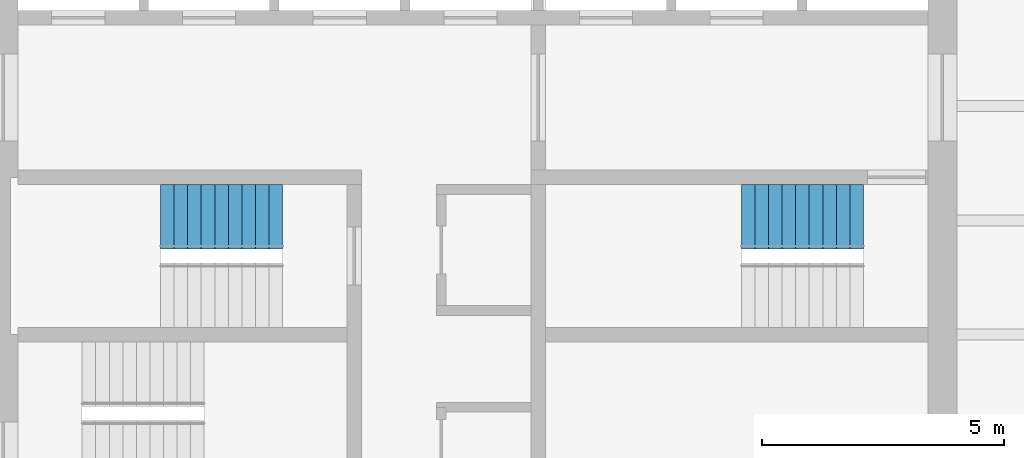
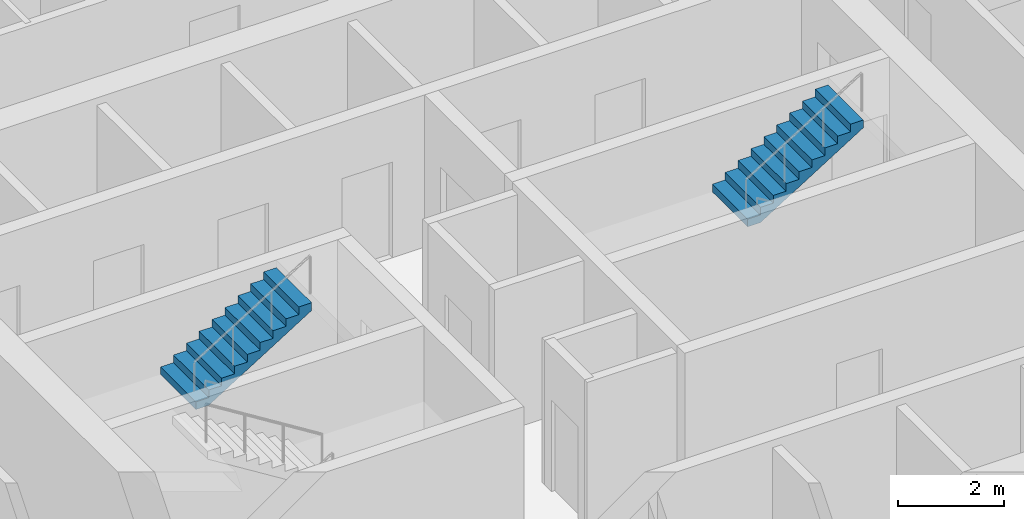
# One storey, part 9 of 10: 2 stair flights, 2 elements without a shape of their own.
"""IFC4 building model written with IfcOpenShell, lengths in metres."""

from ifc_helpers import new_model, si_unit, direction, frame, origin, place, context, subcontext, project, spatial, polyline, outline, extrude, material, type_object, element, aggregate, save


model = new_model("IFC4")

# Units and contexts
model_context = context("Model", 3, precision=1e-05, world=origin(), true_north=direction((0.0, 1.0)))
body_context = subcontext(model_context, "Body", "Model", "MODEL_VIEW")
ifc_project = project(units=[si_unit("LENGTHUNIT", "METRE"), si_unit("AREAUNIT", "SQUARE_METRE"), si_unit("VOLUMEUNIT", "CUBIC_METRE"), si_unit("PLANEANGLEUNIT", "RADIAN"), si_unit("MASSUNIT", "GRAM", prefix="KILO")], contexts=[model_context])

# Site, building, storey
site_placement = place(None, origin())
site = spatial("IfcSite", under=ifc_project, at=site_placement, CompositionType="ELEMENT")
building_placement = place(site_placement, origin())
building = spatial("IfcBuilding", under=site, at=building_placement, Name="Turquesa Mirador Hotel Tower", CompositionType="ELEMENT")
storey_placement = place(building_placement, frame((0.0, 0.0, 39.0)))
storey = spatial("IfcBuildingStorey", under=building, at=storey_placement, Name="L09", CompositionType="ELEMENT", Elevation=39.0)

# Stair, stair flight
ifc_material_1 = material(Name="Concrete C35/45", Category="concrete")
stair_type = type_object("IfcStairType", Name="ESCAPE STAIR CORE", PredefinedType="HALF_TURN_STAIR", material=ifc_material_1)
stair_1_placement = place(storey_placement, origin())
stair_1 = element("IfcStair", 1, at=stair_1_placement, inside=storey, type_object=stair_type, Name="Stair ST1 L09 to L10", PredefinedType="HALF_TURN_STAIR")
ifc_material_2 = material(Name="Concrete C35/45 precast flight", Category="concrete")
stair_flight_type = type_object("IfcStairFlightType", Name="STAIR FLIGHT 1330", PredefinedType="STRAIGHT", material=ifc_material_2)
stair_flight_1_placement = place(storey_placement, frame((48.550048828125, 47.43505859375, 1.75), z_axis=(0.0, 0.0, 1.0), x_axis=(1.0, 0.0, 0.0)))
stair_flight_1 = element("IfcStairFlight", 2, at=stair_flight_1_placement, type_object=stair_flight_type, Name="ST1 flight 2", NumberOfRisers=10, NumberOfTreads=9, PredefinedType="STRAIGHT", RiserHeight=0.175, TreadLength=0.28, context=body_context, shape_type="SweptSolid", body=[
    extrude(outline(polyline([(0.0, 0.0), (0.0, 0.175048828125), (0.280029296875, 0.175048828125), (0.280029296875, 0.35009765625), (0.56005859375, 0.35009765625), (0.56005859375, 0.52490234375), (0.840087890625, 0.52490234375), (0.840087890625, 0.699951171875), (1.1201171875, 0.699951171875), (1.1201171875, 0.875), (1.39990234375, 0.875), (1.39990234375, 1.050048828125), (1.679931640625, 1.050048828125), (1.679931640625, 1.22509765625), (1.9599609375, 1.22509765625), (1.9599609375, 1.39990234375), (2.239990234375, 1.39990234375), (2.239990234375, 1.574951171875), (2.52001953125, 1.574951171875), (2.52001953125, 1.75), (2.52001953125, 1.398193359375), (0.28271484375, 0.0), (0.0, 0.0)])), frame((0.0, 0.6650390625, 0.0), z_axis=(0.0, -1.0, 0.0), x_axis=(1.0, 0.0, 0.0)), (0.0, 0.0, 1.0), 1.330078125),
])
aggregate(stair_1, [stair_flight_1])

stair_2_placement = place(storey_placement, origin())
stair_2 = element("IfcStair", 3, at=stair_2_placement, inside=storey, type_object=stair_type, Name="Stair ST3 L09 to L10", PredefinedType="HALF_TURN_STAIR")
stair_flight_2_placement = place(storey_placement, frame((60.550048828125, 47.43505859375, 1.75), z_axis=(0.0, 0.0, 1.0), x_axis=(1.0, 0.0, 0.0)))
stair_flight_2 = element("IfcStairFlight", 4, at=stair_flight_2_placement, type_object=stair_flight_type, Name="ST3 flight 2", NumberOfRisers=10, NumberOfTreads=9, PredefinedType="STRAIGHT", RiserHeight=0.175, TreadLength=0.28, context=body_context, shape_type="SweptSolid", body=[
    extrude(outline(polyline([(0.0, 0.0), (0.0, 0.175048828125), (0.280029296875, 0.175048828125), (0.280029296875, 0.35009765625), (0.56005859375, 0.35009765625), (0.56005859375, 0.52490234375), (0.840087890625, 0.52490234375), (0.840087890625, 0.699951171875), (1.1201171875, 0.699951171875), (1.1201171875, 0.875), (1.39990234375, 0.875), (1.39990234375, 1.050048828125), (1.679931640625, 1.050048828125), (1.679931640625, 1.22509765625), (1.9599609375, 1.22509765625), (1.9599609375, 1.39990234375), (2.239990234375, 1.39990234375), (2.239990234375, 1.574951171875), (2.52001953125, 1.574951171875), (2.52001953125, 1.75), (2.52001953125, 1.398193359375), (0.28271484375, 0.0), (0.0, 0.0)])), frame((0.0, 0.6650390625, 0.0), z_axis=(0.0, -1.0, 0.0), x_axis=(1.0, 0.0, 0.0)), (0.0, 0.0, 1.0), 1.330078125),
])
aggregate(stair_2, [stair_flight_2])

save(model, "model.ifc")
